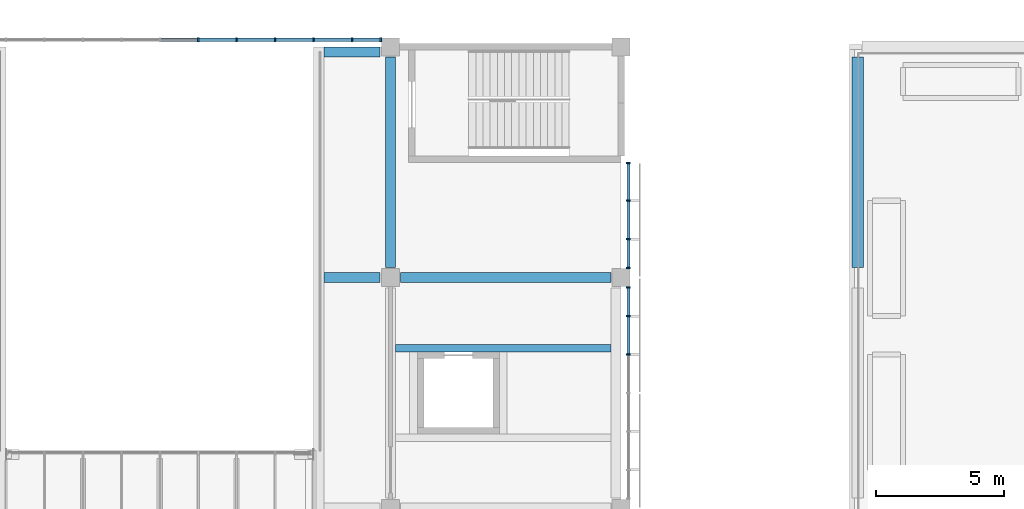
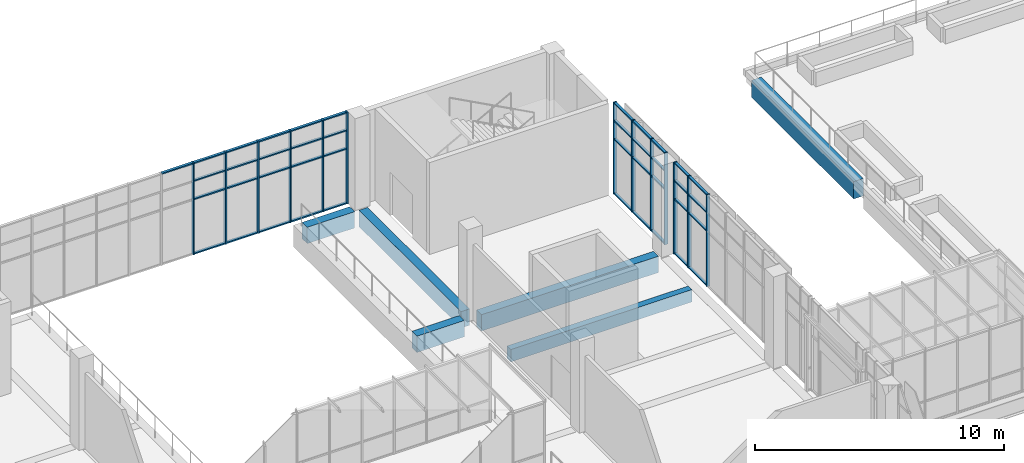
# One storey, part 29 of 106: 54 members, 6 beams, 3 elements without a shape of their own.
"""IFC4 building model written with IfcOpenShell, lengths in metres."""

import ifcopenshell
import ifcopenshell.guid

model = None  # the IFC model being written
_history = None  # IfcOwnerHistory: only IFC2X3 demands one
_inside = {}  # id of a spatial element -> (the spatial element, [elements in it])
_under = {}  # id of a project, library or spatial element -> (it, [spatial elements below it])
_declared = {}  # id of a project -> (the project, [libraries it declares])
_typed = {}  # id of a type object -> (the type object, [elements of that type])
_made_of = {}  # id of a material, layer set ... -> (it, [elements and type objects made of it])


def new_model(schema):
    """Start an empty IFC model of exactly this schema.

    Asked for "IFC4X3", IfcOpenShell would pick the latest addendum, in which some entities
    have other attributes; the version numbers below select the first issue.
    IFC2X3 requires an IfcOwnerHistory on every rooted entity: one is made here for all.
    """
    global model, _history
    if schema == "IFC4X3":
        model = ifcopenshell.file(schema_version=(4, 3, 0, 0))
    else:
        model = ifcopenshell.file(schema=schema)
    _inside.clear()
    _under.clear()
    _declared.clear()
    _typed.clear()
    _made_of.clear()
    _history = None
    if model.schema == "IFC2X3":
        org = make("IfcOrganization", Name="unknown")
        user = make(
            "IfcPersonAndOrganization",
            ThePerson=make("IfcPerson", FamilyName="unknown"),
            TheOrganization=org,
        )
        app = make(
            "IfcApplication",
            ApplicationDeveloper=org,
            Version="unknown",
            ApplicationFullName="unknown",
            ApplicationIdentifier="unknown",
        )
        _history = make(
            "IfcOwnerHistory",
            OwningUser=user,
            OwningApplication=app,
            ChangeAction="ADDED",
            CreationDate=0,
        )
    return model


def make(cls, **values):
    """One entity of the class cls with the attributes given. An attribute that is None is left unset."""
    return model.create_entity(
        cls, **{name: value for name, value in values.items() if value is not None}
    )


def rooted(cls, **values):
    """An entity with a GlobalId (a new one), such as an element, a storey or a relation."""
    return make(cls, GlobalId=ifcopenshell.guid.new(), OwnerHistory=_history, **values)


def si_unit(unit_type, name, prefix=None):
    """IfcSIUnit, for example si_unit("LENGTHUNIT", "METRE", prefix="MILLI")."""
    return make("IfcSIUnit", UnitType=unit_type, Prefix=prefix, Name=name)


def assignment(units):
    """IfcUnitAssignment: the units of a project."""
    return None if units is None else make("IfcUnitAssignment", Units=units)


def point(xyz):
    """IfcCartesianPoint."""
    return None if xyz is None else make("IfcCartesianPoint", Coordinates=xyz)


def direction(xyz):
    """IfcDirection."""
    return None if xyz is None else make("IfcDirection", DirectionRatios=xyz)


def frame(location, z_axis=None, x_axis=None):
    """IfcAxis2Placement3D, a coordinate frame: its origin and axes. An axis left out is left unset."""
    return make(
        "IfcAxis2Placement3D",
        Location=point(location),
        Axis=direction(z_axis),
        RefDirection=direction(x_axis),
    )


def frame_2d(location, x_axis=None):
    """IfcAxis2Placement2D, a coordinate frame in the plane: its origin and x axis."""
    return make(
        "IfcAxis2Placement2D", Location=point(location), RefDirection=direction(x_axis)
    )


def origin():
    """The frame at (0, 0, 0) with its axes left unset."""
    return frame((0.0, 0.0, 0.0))


def origin_2d():
    """The frame at (0, 0) in the plane with its x axis left unset."""
    return frame_2d((0.0, 0.0))


def place(relative_to, where):
    """IfcLocalPlacement: puts the frame where relative to a parent placement (None: the world)."""
    return make(
        "IfcLocalPlacement", PlacementRelTo=relative_to, RelativePlacement=where
    )


def context(
    kind, dimensions, precision=None, world=None, true_north=None, identifier=None
):
    """IfcGeometricRepresentationContext, for example the 3D "Model" context."""
    return make(
        "IfcGeometricRepresentationContext",
        ContextIdentifier=identifier,
        ContextType=kind,
        CoordinateSpaceDimension=dimensions,
        Precision=precision,
        WorldCoordinateSystem=world,
        TrueNorth=true_north,
    )


def subcontext(parent, identifier, kind, view, scale=None):
    """IfcGeometricRepresentationSubContext, for example "Body" below "Model"."""
    return make(
        "IfcGeometricRepresentationSubContext",
        ContextIdentifier=identifier,
        ContextType=kind,
        ParentContext=parent,
        TargetScale=scale,
        TargetView=view,
    )


def project(units=None, contexts=None):
    """IfcProject with its units and contexts."""
    return rooted(
        "IfcProject",
        Name="project",
        RepresentationContexts=contexts,
        UnitsInContext=assignment(units),
    )


def spatial(cls, under=None, at=None, **own):
    """A site, building, storey or space (cls), placed at a placement, below another one or the project."""
    s = rooted(cls, ObjectPlacement=at, **own)
    if under is not None:
        _under.setdefault(under.id(), (under, []))[1].append(s)
    return s


def profile(cls, at=None, kind="AREA", **sizes):
    """A parametric profile (cls). Its sizes go by their IFC names, for example OverallWidth=200.0."""
    return make(cls, ProfileType=kind, Position=at, **sizes)


def rectangle(**sizes):
    """IfcRectangleProfileDef."""
    return profile("IfcRectangleProfileDef", **sizes)


def extrude(swept, where, along, depth):
    """IfcExtrudedAreaSolid: the profile swept, set in the frame where, extruded along a direction by depth."""
    return make(
        "IfcExtrudedAreaSolid",
        SweptArea=swept,
        Position=where,
        ExtrudedDirection=direction(along),
        Depth=depth,
    )


def shape(context_of_items, identifier, shape_type, items):
    """IfcShapeRepresentation: the items that make up one representation, for example the "Body"."""
    return make(
        "IfcShapeRepresentation",
        ContextOfItems=context_of_items,
        RepresentationIdentifier=identifier,
        RepresentationType=shape_type,
        Items=items,
    )


def material(Name=None, Category=None):
    """IfcMaterial."""
    return make("IfcMaterial", Name=Name, Category=Category)


def layer(
    of_material, thickness, ventilated=None, Name=None, Category=None, Priority=None
):
    """IfcMaterialLayer: one layer of a wall or slab, of a material (None: an air gap)."""
    return make(
        "IfcMaterialLayer",
        Material=of_material,
        LayerThickness=thickness,
        IsVentilated=ventilated,
        Name=Name,
        Category=Category,
        Priority=Priority,
    )


def layer_set(layers, Name=None):
    """IfcMaterialLayerSet."""
    return make("IfcMaterialLayerSet", MaterialLayers=layers, LayerSetName=Name)


def material_profile(
    of_material, cross_section, Name=None, Category=None, Priority=None
):
    """IfcMaterialProfile: a cross section and its material."""
    return make(
        "IfcMaterialProfile",
        Name=Name,
        Material=of_material,
        Profile=cross_section,
        Priority=Priority,
        Category=Category,
    )


def profile_set(profiles, Name=None, composite=None):
    """IfcMaterialProfileSet."""
    return make(
        "IfcMaterialProfileSet",
        Name=Name,
        MaterialProfiles=profiles,
        CompositeProfile=composite,
    )


def made_of(thing, what):
    """Note that an element or type object is made of a material, layer set ...; save() writes the relation."""
    if what is not None:
        _made_of.setdefault(what.id(), (what, []))[1].append(thing)
    return thing


def type_object(cls, material=None, **own):
    """A type object (cls), such as IfcWallType, which elements share."""
    return made_of(rooted(cls, **own), material)


def element(
    cls,
    number,
    at=None,
    inside=None,
    cuts=None,
    type_object=None,
    material=None,
    context=None,
    identifier="Body",
    shape_type=None,
    held_by="IfcProductDefinitionShape",
    body=None,
    shapes=None,
    **own,
):
    """One element of the class cls, such as IfcWall. Its Tag is "e" and its number.

    at: its placement. inside: the storey or other place that contains it. cuts: it is an
    opening in that element (IfcRelVoidsElement). A single representation is given by context,
    identifier, shape_type and body (its items); several are given by shapes. held_by: the class
    of the entity that holds the representations. save() writes the other relations.
    """
    e = rooted(cls, Tag="e%d" % number, ObjectPlacement=at, **own)
    if body is not None:
        shapes = [shape(context, identifier, shape_type, body)]
    if shapes is not None:
        e.Representation = make(held_by, Representations=shapes)
    if inside is not None:
        _inside.setdefault(inside.id(), (inside, []))[1].append(e)
    if cuts is not None:
        rooted(
            "IfcRelVoidsElement", RelatingBuildingElement=cuts, RelatedOpeningElement=e
        )
    if type_object is not None:
        _typed.setdefault(type_object.id(), (type_object, []))[1].append(e)
    return made_of(e, material)


def aggregate(whole, parts):
    """IfcRelAggregates: a whole, such as a stair, and the parts it consists of."""
    return rooted("IfcRelAggregates", RelatingObject=whole, RelatedObjects=parts)


def save(model, path):
    """Write the relations noted so far, then the file.

    IfcRelAggregates (storeys below a building ...), IfcRelContainedInSpatialStructure (elements
    in a storey), IfcRelDefinesByType, IfcRelAssociatesMaterial and IfcRelDeclares: one each for
    every whole, place, type object, material and project.
    """
    for whole, parts in _under.values():
        aggregate(whole, parts)
    for where, things in _inside.values():
        rooted(
            "IfcRelContainedInSpatialStructure",
            RelatedElements=things,
            RelatingStructure=where,
        )
    for kind, things in _typed.values():
        rooted("IfcRelDefinesByType", RelatedObjects=things, RelatingType=kind)
    for what, things in _made_of.values():
        rooted("IfcRelAssociatesMaterial", RelatedObjects=things, RelatingMaterial=what)
    for by, libraries in _declared.values():
        rooted("IfcRelDeclares", RelatingContext=by, RelatedDefinitions=libraries)
    model.write(path)


model = new_model("IFC4")

# Units and contexts
model_context = context("Model", 3, precision=1e-05, world=origin(), true_north=direction((0.0, 1.0)))
body_context = subcontext(model_context, "Body", "Model", "MODEL_VIEW")
ifc_project = project(units=[si_unit("LENGTHUNIT", "METRE"), si_unit("AREAUNIT", "SQUARE_METRE"), si_unit("VOLUMEUNIT", "CUBIC_METRE"), si_unit("PLANEANGLEUNIT", "RADIAN"), si_unit("MASSUNIT", "GRAM", prefix="KILO")], contexts=[model_context])

# Site, building, storey
site_placement = place(None, origin())
site = spatial("IfcSite", under=ifc_project, at=site_placement, CompositionType="ELEMENT")
building_placement = place(site_placement, origin())
building = spatial("IfcBuilding", under=site, at=building_placement, Name="Guidao Yard Department Store", CompositionType="ELEMENT")
storey_placement = place(building_placement, frame((0.0, 0.0, 10.5)))
storey = spatial("IfcBuildingStorey", under=building, at=storey_placement, Name="L02", CompositionType="ELEMENT", Elevation=10.5)

# Beams
ifc_material_1 = material(Name="Concrete C40", Category="concrete")
ifc_material_profile_1 = material_profile(ifc_material_1, rectangle(XDim=0.39990234375, YDim=0.800048828125, at=origin_2d()), Name="Edge beam 400 x 800 C40")
ifc_profile_set_1 = profile_set([ifc_material_profile_1], Name="Concrete C40")
beam_type_1 = type_object("IfcBeamType", Name="Edge beam 400 x 800 C40", PredefinedType="BEAM", material=ifc_profile_set_1)
beam_1_placement = place(storey_placement, frame((99.0, 99.39990234375, -0.39990234375), z_axis=(0.0, 1.0, 0.0), x_axis=(-1.0, 0.0, 0.0)))
element("IfcBeam", 1, at=beam_1_placement, inside=storey, type_object=beam_type_1, Name="Beam EB55", PredefinedType="BEAM", context=body_context, shape_type="SweptSolid", body=[
    extrude(rectangle(XDim=0.39990234375, YDim=0.800048828125, at=origin_2d()), origin(), (0.0, 0.0, 1.0), 8.2001953125),
])
for number, where, z_axis, x_axis, name in (
    (2, (96.39990234375, 99.0, -0.39990234375), (1.0, 0.0, 0.0), (0.0, 1.0, 0.0), "Beam EB60"),
    (3, (96.39990234375, 107.800048828125, -0.39990234375), (1.0, 0.0, 0.0), (0.0, 1.0, 0.0), "Beam EB61"),
):
    element("IfcBeam", number, at=place(storey_placement, frame(where, z_axis=z_axis, x_axis=x_axis)), inside=storey, type_object=beam_type_1, Name=name, PredefinedType="BEAM", context=body_context, shape_type="SweptSolid", body=[
        extrude(rectangle(XDim=0.39990234375, YDim=0.800048828125, at=origin_2d()), origin(), (0.0, 0.0, 1.0), 2.2001953125),
    ])
beam_2_placement = place(storey_placement, frame((99.39990234375, 99.0, -0.39990234375), z_axis=(1.0, 0.0, 0.0), x_axis=(0.0, 1.0, 0.0)))
element("IfcBeam", 4, at=beam_2_placement, inside=storey, type_object=beam_type_1, Name="Beam EB84", PredefinedType="BEAM", context=body_context, shape_type="SweptSolid", body=[
    extrude(rectangle(XDim=0.39990234375, YDim=0.800048828125, at=origin_2d()), origin(), (0.0, 0.0, 1.0), 8.2001953125),
])
ifc_material_2 = material(Name="Concrete C40", Category="concrete")
ifc_material_profile_2 = material_profile(ifc_material_2, rectangle(XDim=0.449951171875, YDim=0.85009765625, at=origin_2d()), Name="Garden roof spandrel beam 450 x 850 C40")
ifc_profile_set_2 = profile_set([ifc_material_profile_2], Name="Concrete C40")
beam_type_2 = type_object("IfcBeamType", Name="Garden roof spandrel beam 450 x 850 C40", PredefinedType="SPANDREL", material=ifc_profile_set_2)
beam_3_placement = place(storey_placement, frame((117.22509765625, 99.39990234375, -0.425048828125), z_axis=(0.0, 1.0, 0.0), x_axis=(-1.0, 0.0, 0.0)))
element("IfcBeam", 5, at=beam_3_placement, inside=storey, type_object=beam_type_2, Name="Beam EB90", PredefinedType="SPANDREL", context=body_context, shape_type="SweptSolid", body=[
    extrude(rectangle(XDim=0.449951171875, YDim=0.85009765625, at=origin_2d()), origin(), (0.0, 0.0, 1.0), 8.2001953125),
])

# Curtain wall, members
ifc_material_3 = material(Name="Aluminium and glass", Category="aluminium")
ifc_layer = layer(ifc_material_3, 0.159912109375)
ifc_layer_set = layer_set([ifc_layer], Name="Shopfront curtain wall CW1 1500 module")
curtain_wall_type = type_object("IfcCurtainWallType", Name="Shopfront curtain wall CW1 1500 module", PredefinedType="NOTDEFINED", material=ifc_layer_set)
curtain_wall_1_placement = place(storey_placement, origin())
curtain_wall_1 = element("IfcCurtainWall", 6, at=curtain_wall_1_placement, inside=storey, type_object=curtain_wall_type, Name="Arcade shop front", PredefinedType="NOTDEFINED")
ifc_material_4 = material(Name="Aluminium 6063-T5", Category="aluminium")
ifc_material_profile_3 = material_profile(ifc_material_4, rectangle(XDim=0.06005859375, YDim=0.159912109375, at=origin_2d()), Name="Mullion M1 60 x 160 aluminium pressure plate")
ifc_profile_set_3 = profile_set([ifc_material_profile_3], Name="Aluminium 6063-T5")
member_type_1 = type_object("IfcMemberType", Name="Mullion M1 60 x 160 aluminium pressure plate", PredefinedType="MULLION", material=ifc_profile_set_3)
member_1_placement = place(storey_placement, frame((108.280029296875, 96.0, 0.0), z_axis=(0.0, 0.0, 1.0), x_axis=(0.0, -1.0, 0.0)))
member_1 = element("IfcMember", 7, at=member_1_placement, type_object=member_type_1, Name="CW-AS-L02-21 mullion 5", PredefinedType="MULLION", context=body_context, shape_type="SweptSolid", body=[
    extrude(rectangle(XDim=0.06005859375, YDim=0.159912109375, at=origin_2d()), origin(), (0.0, 0.0, 1.0), 4.5),
])
member_2_placement = place(storey_placement, frame((108.280029296875, 97.5, 0.0), z_axis=(0.0, 0.0, 1.0), x_axis=(0.0, -1.0, 0.0)))
member_2 = element("IfcMember", 8, at=member_2_placement, type_object=member_type_1, Name="CW-AS-L02-21 mullion 6", PredefinedType="MULLION", context=body_context, shape_type="SweptSolid", body=[
    extrude(rectangle(XDim=0.06005859375, YDim=0.159912109375, at=origin_2d()), origin(), (0.0, 0.0, 1.0), 4.5),
])
member_3_placement = place(storey_placement, frame((108.280029296875, 98.6201171875, 0.0), z_axis=(0.0, 0.0, 1.0), x_axis=(0.0, -1.0, 0.0)))
member_3 = element("IfcMember", 9, at=member_3_placement, type_object=member_type_1, Name="CW-AS-L02-21 mullion 7", PredefinedType="MULLION", context=body_context, shape_type="SweptSolid", body=[
    extrude(rectangle(XDim=0.06005859375, YDim=0.159912109375, at=origin_2d()), origin(), (0.0, 0.0, 1.0), 4.5),
])

curtain_wall_2_placement = place(storey_placement, origin())
curtain_wall_2 = element("IfcCurtainWall", 10, at=curtain_wall_2_placement, inside=storey, type_object=curtain_wall_type, Name="Arcade shop front", PredefinedType="NOTDEFINED")
member_4_placement = place(storey_placement, frame((108.280029296875, 99.3798828125, 0.0), z_axis=(0.0, 0.0, 1.0), x_axis=(0.0, -1.0, 0.0)))
member_4 = element("IfcMember", 11, at=member_4_placement, type_object=member_type_1, Name="CW-AS-L02-22 mullion 1", PredefinedType="MULLION", context=body_context, shape_type="SweptSolid", body=[
    extrude(rectangle(XDim=0.06005859375, YDim=0.159912109375, at=origin_2d()), origin(), (0.0, 0.0, 1.0), 4.5),
])
member_5_placement = place(storey_placement, frame((108.280029296875, 100.5, 0.0), z_axis=(0.0, 0.0, 1.0), x_axis=(0.0, -1.0, 0.0)))
member_5 = element("IfcMember", 12, at=member_5_placement, type_object=member_type_1, Name="CW-AS-L02-22 mullion 2", PredefinedType="MULLION", context=body_context, shape_type="SweptSolid", body=[
    extrude(rectangle(XDim=0.06005859375, YDim=0.159912109375, at=origin_2d()), origin(), (0.0, 0.0, 1.0), 4.5),
])
member_6_placement = place(storey_placement, frame((108.280029296875, 102.0, 0.0), z_axis=(0.0, 0.0, 1.0), x_axis=(0.0, -1.0, 0.0)))
member_6 = element("IfcMember", 13, at=member_6_placement, type_object=member_type_1, Name="CW-AS-L02-22 mullion 3", PredefinedType="MULLION", context=body_context, shape_type="SweptSolid", body=[
    extrude(rectangle(XDim=0.06005859375, YDim=0.159912109375, at=origin_2d()), origin(), (0.0, 0.0, 1.0), 4.5),
])
member_7_placement = place(storey_placement, frame((108.280029296875, 103.469970703125, 0.0), z_axis=(0.0, 0.0, 1.0), x_axis=(0.0, -1.0, 0.0)))
member_7 = element("IfcMember", 14, at=member_7_placement, type_object=member_type_1, Name="CW-AS-L02-22 mullion 4", PredefinedType="MULLION", context=body_context, shape_type="SweptSolid", body=[
    extrude(rectangle(XDim=0.06005859375, YDim=0.159912109375, at=origin_2d()), origin(), (0.0, 0.0, 1.0), 4.5),
])

curtain_wall_3_placement = place(storey_placement, origin())
curtain_wall_3 = element("IfcCurtainWall", 15, at=curtain_wall_3_placement, inside=storey, type_object=curtain_wall_type, Name="Arcade gable glazing", PredefinedType="NOTDEFINED")
member_8_placement = place(storey_placement, frame((91.5, 108.280029296875, 0.0), z_axis=(0.0, 0.0, 1.0), x_axis=(1.0, 0.0, 0.0)))
member_8 = element("IfcMember", 16, at=member_8_placement, type_object=member_type_1, Name="CW-AG-L02-01 mullion 8", PredefinedType="MULLION", context=body_context, shape_type="SweptSolid", body=[
    extrude(rectangle(XDim=0.06005859375, YDim=0.159912109375, at=origin_2d()), origin(), (0.0, 0.0, 1.0), 4.5),
])
member_9_placement = place(storey_placement, frame((93.0, 108.280029296875, 0.0), z_axis=(0.0, 0.0, 1.0), x_axis=(1.0, 0.0, 0.0)))
member_9 = element("IfcMember", 17, at=member_9_placement, type_object=member_type_1, Name="CW-AG-L02-01 mullion 9", PredefinedType="MULLION", context=body_context, shape_type="SweptSolid", body=[
    extrude(rectangle(XDim=0.06005859375, YDim=0.159912109375, at=origin_2d()), origin(), (0.0, 0.0, 1.0), 4.5),
])
member_10_placement = place(storey_placement, frame((94.5, 108.280029296875, 0.0), z_axis=(0.0, 0.0, 1.0), x_axis=(1.0, 0.0, 0.0)))
member_10 = element("IfcMember", 18, at=member_10_placement, type_object=member_type_1, Name="CW-AG-L02-01 mullion 10", PredefinedType="MULLION", context=body_context, shape_type="SweptSolid", body=[
    extrude(rectangle(XDim=0.06005859375, YDim=0.159912109375, at=origin_2d()), origin(), (0.0, 0.0, 1.0), 4.5),
])
member_11_placement = place(storey_placement, frame((96.0, 108.280029296875, 0.0), z_axis=(0.0, 0.0, 1.0), x_axis=(1.0, 0.0, 0.0)))
member_11 = element("IfcMember", 19, at=member_11_placement, type_object=member_type_1, Name="CW-AG-L02-01 mullion 11", PredefinedType="MULLION", context=body_context, shape_type="SweptSolid", body=[
    extrude(rectangle(XDim=0.06005859375, YDim=0.159912109375, at=origin_2d()), origin(), (0.0, 0.0, 1.0), 4.5),
])
member_12_placement = place(storey_placement, frame((97.5, 108.280029296875, 0.0), z_axis=(0.0, 0.0, 1.0), x_axis=(1.0, 0.0, 0.0)))
member_12 = element("IfcMember", 20, at=member_12_placement, type_object=member_type_1, Name="CW-AG-L02-01 mullion 12", PredefinedType="MULLION", context=body_context, shape_type="SweptSolid", body=[
    extrude(rectangle(XDim=0.06005859375, YDim=0.159912109375, at=origin_2d()), origin(), (0.0, 0.0, 1.0), 4.5),
])
member_13_placement = place(storey_placement, frame((98.6201171875, 108.280029296875, 0.0), z_axis=(0.0, 0.0, 1.0), x_axis=(1.0, 0.0, 0.0)))
member_13 = element("IfcMember", 21, at=member_13_placement, type_object=member_type_1, Name="CW-AG-L02-01 mullion 13", PredefinedType="MULLION", context=body_context, shape_type="SweptSolid", body=[
    extrude(rectangle(XDim=0.06005859375, YDim=0.159912109375, at=origin_2d()), origin(), (0.0, 0.0, 1.0), 4.5),
])

# Beam
ifc_material_5 = material(Name="Concrete C40", Category="concrete")
ifc_material_profile_4 = material_profile(ifc_material_5, rectangle(XDim=0.300048828125, YDim=0.60009765625, at=origin_2d()), Name="Opening beam 300 x 600 C40")
ifc_profile_set_4 = profile_set([ifc_material_profile_4], Name="Concrete C40")
beam_type_3 = type_object("IfcBeamType", Name="Opening beam 300 x 600 C40", PredefinedType="BEAM", material=ifc_profile_set_4)
beam_4_placement = place(storey_placement, frame((99.199951171875, 96.25, -0.300048828125), z_axis=(1.0, 0.0, 0.0), x_axis=(0.0, 1.0, 0.0)))
element("IfcBeam", 22, at=beam_4_placement, inside=storey, type_object=beam_type_3, Name="Beam OB34", PredefinedType="BEAM", context=body_context, shape_type="SweptSolid", body=[
    extrude(rectangle(XDim=0.300048828125, YDim=0.60009765625, at=origin_2d()), origin(), (0.0, 0.0, 1.0), 8.400146484375),
])

# Member
ifc_material_6 = material(Name="Aluminium 6063-T5", Category="aluminium")
ifc_material_profile_5 = material_profile(ifc_material_6, rectangle(XDim=0.1201171875, YDim=0.06005859375, at=origin_2d()), Name="Transom T1 60 x 120 aluminium pressure plate")
ifc_profile_set_5 = profile_set([ifc_material_profile_5], Name="Aluminium 6063-T5")
member_type_2 = type_object("IfcMemberType", Name="Transom T1 60 x 120 aluminium pressure plate", PredefinedType="USERDEFINED", material=ifc_profile_set_5)
member_14_placement = place(storey_placement, frame((108.280029296875, 97.469970703125, 0.030029296875), z_axis=(0.0, -1.0, 0.0), x_axis=(1.0, 0.0, 0.0)))
member_14 = element("IfcMember", 23, at=member_14_placement, type_object=member_type_2, Name="CW-AS-L02-21 transom 5.1", ObjectType="TRANSOM", PredefinedType="USERDEFINED", context=body_context, shape_type="SweptSolid", body=[
    extrude(rectangle(XDim=0.1201171875, YDim=0.06005859375, at=origin_2d()), origin(), (0.0, 0.0, 1.0), 1.43994140625),
])

member_15_placement = place(storey_placement, frame((108.280029296875, 97.469970703125, 2.699951171875), z_axis=(0.0, -1.0, 0.0), x_axis=(1.0, 0.0, 0.0)))
member_15 = element("IfcMember", 24, at=member_15_placement, type_object=member_type_2, Name="CW-AS-L02-21 transom 5.2", ObjectType="TRANSOM", PredefinedType="USERDEFINED", context=body_context, shape_type="SweptSolid", body=[
    extrude(rectangle(XDim=0.1201171875, YDim=0.06005859375, at=origin_2d()), origin(), (0.0, 0.0, 1.0), 1.43994140625),
])

member_16_placement = place(storey_placement, frame((108.280029296875, 97.469970703125, 3.60009765625), z_axis=(0.0, -1.0, 0.0), x_axis=(1.0, 0.0, 0.0)))
member_16 = element("IfcMember", 25, at=member_16_placement, type_object=member_type_2, Name="CW-AS-L02-21 transom 5.3", ObjectType="TRANSOM", PredefinedType="USERDEFINED", context=body_context, shape_type="SweptSolid", body=[
    extrude(rectangle(XDim=0.1201171875, YDim=0.06005859375, at=origin_2d()), origin(), (0.0, 0.0, 1.0), 1.43994140625),
])

member_17_placement = place(storey_placement, frame((108.280029296875, 97.469970703125, 4.469970703125), z_axis=(0.0, -1.0, 0.0), x_axis=(1.0, 0.0, 0.0)))
member_17 = element("IfcMember", 26, at=member_17_placement, type_object=member_type_2, Name="CW-AS-L02-21 transom 5.4", ObjectType="TRANSOM", PredefinedType="USERDEFINED", context=body_context, shape_type="SweptSolid", body=[
    extrude(rectangle(XDim=0.1201171875, YDim=0.06005859375, at=origin_2d()), origin(), (0.0, 0.0, 1.0), 1.43994140625),
])

member_18_placement = place(storey_placement, frame((108.280029296875, 98.590087890625, 0.030029296875), z_axis=(0.0, -1.0, 0.0), x_axis=(1.0, 0.0, 0.0)))
member_18 = element("IfcMember", 27, at=member_18_placement, type_object=member_type_2, Name="CW-AS-L02-21 transom 6.1", ObjectType="TRANSOM", PredefinedType="USERDEFINED", context=body_context, shape_type="SweptSolid", body=[
    extrude(rectangle(XDim=0.1201171875, YDim=0.06005859375, at=origin_2d()), origin(), (0.0, 0.0, 1.0), 1.06005859375),
])

member_19_placement = place(storey_placement, frame((108.280029296875, 98.590087890625, 2.699951171875), z_axis=(0.0, -1.0, 0.0), x_axis=(1.0, 0.0, 0.0)))
member_19 = element("IfcMember", 28, at=member_19_placement, type_object=member_type_2, Name="CW-AS-L02-21 transom 6.2", ObjectType="TRANSOM", PredefinedType="USERDEFINED", context=body_context, shape_type="SweptSolid", body=[
    extrude(rectangle(XDim=0.1201171875, YDim=0.06005859375, at=origin_2d()), origin(), (0.0, 0.0, 1.0), 1.06005859375),
])

member_20_placement = place(storey_placement, frame((108.280029296875, 98.590087890625, 3.60009765625), z_axis=(0.0, -1.0, 0.0), x_axis=(1.0, 0.0, 0.0)))
member_20 = element("IfcMember", 29, at=member_20_placement, type_object=member_type_2, Name="CW-AS-L02-21 transom 6.3", ObjectType="TRANSOM", PredefinedType="USERDEFINED", context=body_context, shape_type="SweptSolid", body=[
    extrude(rectangle(XDim=0.1201171875, YDim=0.06005859375, at=origin_2d()), origin(), (0.0, 0.0, 1.0), 1.06005859375),
])

member_21_placement = place(storey_placement, frame((108.280029296875, 98.590087890625, 4.469970703125), z_axis=(0.0, -1.0, 0.0), x_axis=(1.0, 0.0, 0.0)))
member_21 = element("IfcMember", 30, at=member_21_placement, type_object=member_type_2, Name="CW-AS-L02-21 transom 6.4", ObjectType="TRANSOM", PredefinedType="USERDEFINED", context=body_context, shape_type="SweptSolid", body=[
    extrude(rectangle(XDim=0.1201171875, YDim=0.06005859375, at=origin_2d()), origin(), (0.0, 0.0, 1.0), 1.06005859375),
])

aggregate(curtain_wall_1, [member_1, member_2, member_3, member_14, member_15, member_16, member_17, member_18, member_19, member_20, member_21])

member_22_placement = place(storey_placement, frame((108.280029296875, 100.469970703125, 0.030029296875), z_axis=(0.0, -1.0, 0.0), x_axis=(1.0, 0.0, 0.0)))
member_22 = element("IfcMember", 31, at=member_22_placement, type_object=member_type_2, Name="CW-AS-L02-22 transom 1.1", ObjectType="TRANSOM", PredefinedType="USERDEFINED", context=body_context, shape_type="SweptSolid", body=[
    extrude(rectangle(XDim=0.1201171875, YDim=0.06005859375, at=origin_2d()), origin(), (0.0, 0.0, 1.0), 1.06005859375),
])

member_23_placement = place(storey_placement, frame((108.280029296875, 100.469970703125, 2.699951171875), z_axis=(0.0, -1.0, 0.0), x_axis=(1.0, 0.0, 0.0)))
member_23 = element("IfcMember", 32, at=member_23_placement, type_object=member_type_2, Name="CW-AS-L02-22 transom 1.2", ObjectType="TRANSOM", PredefinedType="USERDEFINED", context=body_context, shape_type="SweptSolid", body=[
    extrude(rectangle(XDim=0.1201171875, YDim=0.06005859375, at=origin_2d()), origin(), (0.0, 0.0, 1.0), 1.06005859375),
])

member_24_placement = place(storey_placement, frame((108.280029296875, 100.469970703125, 3.60009765625), z_axis=(0.0, -1.0, 0.0), x_axis=(1.0, 0.0, 0.0)))
member_24 = element("IfcMember", 33, at=member_24_placement, type_object=member_type_2, Name="CW-AS-L02-22 transom 1.3", ObjectType="TRANSOM", PredefinedType="USERDEFINED", context=body_context, shape_type="SweptSolid", body=[
    extrude(rectangle(XDim=0.1201171875, YDim=0.06005859375, at=origin_2d()), origin(), (0.0, 0.0, 1.0), 1.06005859375),
])

member_25_placement = place(storey_placement, frame((108.280029296875, 100.469970703125, 4.469970703125), z_axis=(0.0, -1.0, 0.0), x_axis=(1.0, 0.0, 0.0)))
member_25 = element("IfcMember", 34, at=member_25_placement, type_object=member_type_2, Name="CW-AS-L02-22 transom 1.4", ObjectType="TRANSOM", PredefinedType="USERDEFINED", context=body_context, shape_type="SweptSolid", body=[
    extrude(rectangle(XDim=0.1201171875, YDim=0.06005859375, at=origin_2d()), origin(), (0.0, 0.0, 1.0), 1.06005859375),
])

member_26_placement = place(storey_placement, frame((108.280029296875, 101.969970703125, 0.030029296875), z_axis=(0.0, -1.0, 0.0), x_axis=(1.0, 0.0, 0.0)))
member_26 = element("IfcMember", 35, at=member_26_placement, type_object=member_type_2, Name="CW-AS-L02-22 transom 2.1", ObjectType="TRANSOM", PredefinedType="USERDEFINED", context=body_context, shape_type="SweptSolid", body=[
    extrude(rectangle(XDim=0.1201171875, YDim=0.06005859375, at=origin_2d()), origin(), (0.0, 0.0, 1.0), 1.43994140625),
])

member_27_placement = place(storey_placement, frame((108.280029296875, 101.969970703125, 2.699951171875), z_axis=(0.0, -1.0, 0.0), x_axis=(1.0, 0.0, 0.0)))
member_27 = element("IfcMember", 36, at=member_27_placement, type_object=member_type_2, Name="CW-AS-L02-22 transom 2.2", ObjectType="TRANSOM", PredefinedType="USERDEFINED", context=body_context, shape_type="SweptSolid", body=[
    extrude(rectangle(XDim=0.1201171875, YDim=0.06005859375, at=origin_2d()), origin(), (0.0, 0.0, 1.0), 1.43994140625),
])

member_28_placement = place(storey_placement, frame((108.280029296875, 101.969970703125, 3.60009765625), z_axis=(0.0, -1.0, 0.0), x_axis=(1.0, 0.0, 0.0)))
member_28 = element("IfcMember", 37, at=member_28_placement, type_object=member_type_2, Name="CW-AS-L02-22 transom 2.3", ObjectType="TRANSOM", PredefinedType="USERDEFINED", context=body_context, shape_type="SweptSolid", body=[
    extrude(rectangle(XDim=0.1201171875, YDim=0.06005859375, at=origin_2d()), origin(), (0.0, 0.0, 1.0), 1.43994140625),
])

member_29_placement = place(storey_placement, frame((108.280029296875, 101.969970703125, 4.469970703125), z_axis=(0.0, -1.0, 0.0), x_axis=(1.0, 0.0, 0.0)))
member_29 = element("IfcMember", 38, at=member_29_placement, type_object=member_type_2, Name="CW-AS-L02-22 transom 2.4", ObjectType="TRANSOM", PredefinedType="USERDEFINED", context=body_context, shape_type="SweptSolid", body=[
    extrude(rectangle(XDim=0.1201171875, YDim=0.06005859375, at=origin_2d()), origin(), (0.0, 0.0, 1.0), 1.43994140625),
])

member_30_placement = place(storey_placement, frame((108.280029296875, 103.43994140625, 0.030029296875), z_axis=(0.0, -1.0, 0.0), x_axis=(1.0, 0.0, 0.0)))
member_30 = element("IfcMember", 39, at=member_30_placement, type_object=member_type_2, Name="CW-AS-L02-22 transom 3.1", ObjectType="TRANSOM", PredefinedType="USERDEFINED", context=body_context, shape_type="SweptSolid", body=[
    extrude(rectangle(XDim=0.1201171875, YDim=0.06005859375, at=origin_2d()), origin(), (0.0, 0.0, 1.0), 1.409912109375),
])

member_31_placement = place(storey_placement, frame((108.280029296875, 103.43994140625, 2.699951171875), z_axis=(0.0, -1.0, 0.0), x_axis=(1.0, 0.0, 0.0)))
member_31 = element("IfcMember", 40, at=member_31_placement, type_object=member_type_2, Name="CW-AS-L02-22 transom 3.2", ObjectType="TRANSOM", PredefinedType="USERDEFINED", context=body_context, shape_type="SweptSolid", body=[
    extrude(rectangle(XDim=0.1201171875, YDim=0.06005859375, at=origin_2d()), origin(), (0.0, 0.0, 1.0), 1.409912109375),
])

member_32_placement = place(storey_placement, frame((108.280029296875, 103.43994140625, 3.60009765625), z_axis=(0.0, -1.0, 0.0), x_axis=(1.0, 0.0, 0.0)))
member_32 = element("IfcMember", 41, at=member_32_placement, type_object=member_type_2, Name="CW-AS-L02-22 transom 3.3", ObjectType="TRANSOM", PredefinedType="USERDEFINED", context=body_context, shape_type="SweptSolid", body=[
    extrude(rectangle(XDim=0.1201171875, YDim=0.06005859375, at=origin_2d()), origin(), (0.0, 0.0, 1.0), 1.409912109375),
])

member_33_placement = place(storey_placement, frame((108.280029296875, 103.43994140625, 4.469970703125), z_axis=(0.0, -1.0, 0.0), x_axis=(1.0, 0.0, 0.0)))
member_33 = element("IfcMember", 42, at=member_33_placement, type_object=member_type_2, Name="CW-AS-L02-22 transom 3.4", ObjectType="TRANSOM", PredefinedType="USERDEFINED", context=body_context, shape_type="SweptSolid", body=[
    extrude(rectangle(XDim=0.1201171875, YDim=0.06005859375, at=origin_2d()), origin(), (0.0, 0.0, 1.0), 1.409912109375),
])

aggregate(curtain_wall_2, [member_4, member_5, member_6, member_7, member_22, member_23, member_24, member_25, member_26, member_27, member_28, member_29, member_30, member_31, member_32, member_33])

member_34_placement = place(storey_placement, frame((90.030029296875, 108.280029296875, 4.469970703125), z_axis=(1.0, 0.0, 0.0), x_axis=(0.0, 1.0, 0.0)))
member_34 = element("IfcMember", 43, at=member_34_placement, type_object=member_type_2, Name="CW-AG-L02-01 transom 7.4", ObjectType="TRANSOM", PredefinedType="USERDEFINED", context=body_context, shape_type="SweptSolid", body=[
    extrude(rectangle(XDim=0.1201171875, YDim=0.06005859375, at=origin_2d()), origin(), (0.0, 0.0, 1.0), 1.43994140625),
])

member_35_placement = place(storey_placement, frame((91.530029296875, 108.280029296875, 0.030029296875), z_axis=(1.0, 0.0, 0.0), x_axis=(0.0, 1.0, 0.0)))
member_35 = element("IfcMember", 44, at=member_35_placement, type_object=member_type_2, Name="CW-AG-L02-01 transom 8.1", ObjectType="TRANSOM", PredefinedType="USERDEFINED", context=body_context, shape_type="SweptSolid", body=[
    extrude(rectangle(XDim=0.1201171875, YDim=0.06005859375, at=origin_2d()), origin(), (0.0, 0.0, 1.0), 1.43994140625),
])

member_36_placement = place(storey_placement, frame((91.530029296875, 108.280029296875, 2.699951171875), z_axis=(1.0, 0.0, 0.0), x_axis=(0.0, 1.0, 0.0)))
member_36 = element("IfcMember", 45, at=member_36_placement, type_object=member_type_2, Name="CW-AG-L02-01 transom 8.2", ObjectType="TRANSOM", PredefinedType="USERDEFINED", context=body_context, shape_type="SweptSolid", body=[
    extrude(rectangle(XDim=0.1201171875, YDim=0.06005859375, at=origin_2d()), origin(), (0.0, 0.0, 1.0), 1.43994140625),
])

member_37_placement = place(storey_placement, frame((91.530029296875, 108.280029296875, 3.60009765625), z_axis=(1.0, 0.0, 0.0), x_axis=(0.0, 1.0, 0.0)))
member_37 = element("IfcMember", 46, at=member_37_placement, type_object=member_type_2, Name="CW-AG-L02-01 transom 8.3", ObjectType="TRANSOM", PredefinedType="USERDEFINED", context=body_context, shape_type="SweptSolid", body=[
    extrude(rectangle(XDim=0.1201171875, YDim=0.06005859375, at=origin_2d()), origin(), (0.0, 0.0, 1.0), 1.43994140625),
])

member_38_placement = place(storey_placement, frame((91.530029296875, 108.280029296875, 4.469970703125), z_axis=(1.0, 0.0, 0.0), x_axis=(0.0, 1.0, 0.0)))
member_38 = element("IfcMember", 47, at=member_38_placement, type_object=member_type_2, Name="CW-AG-L02-01 transom 8.4", ObjectType="TRANSOM", PredefinedType="USERDEFINED", context=body_context, shape_type="SweptSolid", body=[
    extrude(rectangle(XDim=0.1201171875, YDim=0.06005859375, at=origin_2d()), origin(), (0.0, 0.0, 1.0), 1.43994140625),
])

member_39_placement = place(storey_placement, frame((93.030029296875, 108.280029296875, 0.030029296875), z_axis=(1.0, 0.0, 0.0), x_axis=(0.0, 1.0, 0.0)))
member_39 = element("IfcMember", 48, at=member_39_placement, type_object=member_type_2, Name="CW-AG-L02-01 transom 9.1", ObjectType="TRANSOM", PredefinedType="USERDEFINED", context=body_context, shape_type="SweptSolid", body=[
    extrude(rectangle(XDim=0.1201171875, YDim=0.06005859375, at=origin_2d()), origin(), (0.0, 0.0, 1.0), 1.43994140625),
])

member_40_placement = place(storey_placement, frame((93.030029296875, 108.280029296875, 2.699951171875), z_axis=(1.0, 0.0, 0.0), x_axis=(0.0, 1.0, 0.0)))
member_40 = element("IfcMember", 49, at=member_40_placement, type_object=member_type_2, Name="CW-AG-L02-01 transom 9.2", ObjectType="TRANSOM", PredefinedType="USERDEFINED", context=body_context, shape_type="SweptSolid", body=[
    extrude(rectangle(XDim=0.1201171875, YDim=0.06005859375, at=origin_2d()), origin(), (0.0, 0.0, 1.0), 1.43994140625),
])

member_41_placement = place(storey_placement, frame((93.030029296875, 108.280029296875, 3.60009765625), z_axis=(1.0, 0.0, 0.0), x_axis=(0.0, 1.0, 0.0)))
member_41 = element("IfcMember", 50, at=member_41_placement, type_object=member_type_2, Name="CW-AG-L02-01 transom 9.3", ObjectType="TRANSOM", PredefinedType="USERDEFINED", context=body_context, shape_type="SweptSolid", body=[
    extrude(rectangle(XDim=0.1201171875, YDim=0.06005859375, at=origin_2d()), origin(), (0.0, 0.0, 1.0), 1.43994140625),
])

member_42_placement = place(storey_placement, frame((93.030029296875, 108.280029296875, 4.469970703125), z_axis=(1.0, 0.0, 0.0), x_axis=(0.0, 1.0, 0.0)))
member_42 = element("IfcMember", 51, at=member_42_placement, type_object=member_type_2, Name="CW-AG-L02-01 transom 9.4", ObjectType="TRANSOM", PredefinedType="USERDEFINED", context=body_context, shape_type="SweptSolid", body=[
    extrude(rectangle(XDim=0.1201171875, YDim=0.06005859375, at=origin_2d()), origin(), (0.0, 0.0, 1.0), 1.43994140625),
])

member_43_placement = place(storey_placement, frame((94.530029296875, 108.280029296875, 0.030029296875), z_axis=(1.0, 0.0, 0.0), x_axis=(0.0, 1.0, 0.0)))
member_43 = element("IfcMember", 52, at=member_43_placement, type_object=member_type_2, Name="CW-AG-L02-01 transom 10.1", ObjectType="TRANSOM", PredefinedType="USERDEFINED", context=body_context, shape_type="SweptSolid", body=[
    extrude(rectangle(XDim=0.1201171875, YDim=0.06005859375, at=origin_2d()), origin(), (0.0, 0.0, 1.0), 1.43994140625),
])

member_44_placement = place(storey_placement, frame((94.530029296875, 108.280029296875, 2.699951171875), z_axis=(1.0, 0.0, 0.0), x_axis=(0.0, 1.0, 0.0)))
member_44 = element("IfcMember", 53, at=member_44_placement, type_object=member_type_2, Name="CW-AG-L02-01 transom 10.2", ObjectType="TRANSOM", PredefinedType="USERDEFINED", context=body_context, shape_type="SweptSolid", body=[
    extrude(rectangle(XDim=0.1201171875, YDim=0.06005859375, at=origin_2d()), origin(), (0.0, 0.0, 1.0), 1.43994140625),
])

member_45_placement = place(storey_placement, frame((94.530029296875, 108.280029296875, 3.60009765625), z_axis=(1.0, 0.0, 0.0), x_axis=(0.0, 1.0, 0.0)))
member_45 = element("IfcMember", 54, at=member_45_placement, type_object=member_type_2, Name="CW-AG-L02-01 transom 10.3", ObjectType="TRANSOM", PredefinedType="USERDEFINED", context=body_context, shape_type="SweptSolid", body=[
    extrude(rectangle(XDim=0.1201171875, YDim=0.06005859375, at=origin_2d()), origin(), (0.0, 0.0, 1.0), 1.43994140625),
])

member_46_placement = place(storey_placement, frame((94.530029296875, 108.280029296875, 4.469970703125), z_axis=(1.0, 0.0, 0.0), x_axis=(0.0, 1.0, 0.0)))
member_46 = element("IfcMember", 55, at=member_46_placement, type_object=member_type_2, Name="CW-AG-L02-01 transom 10.4", ObjectType="TRANSOM", PredefinedType="USERDEFINED", context=body_context, shape_type="SweptSolid", body=[
    extrude(rectangle(XDim=0.1201171875, YDim=0.06005859375, at=origin_2d()), origin(), (0.0, 0.0, 1.0), 1.43994140625),
])

member_47_placement = place(storey_placement, frame((96.030029296875, 108.280029296875, 0.030029296875), z_axis=(1.0, 0.0, 0.0), x_axis=(0.0, 1.0, 0.0)))
member_47 = element("IfcMember", 56, at=member_47_placement, type_object=member_type_2, Name="CW-AG-L02-01 transom 11.1", ObjectType="TRANSOM", PredefinedType="USERDEFINED", context=body_context, shape_type="SweptSolid", body=[
    extrude(rectangle(XDim=0.1201171875, YDim=0.06005859375, at=origin_2d()), origin(), (0.0, 0.0, 1.0), 1.43994140625),
])

member_48_placement = place(storey_placement, frame((96.030029296875, 108.280029296875, 2.699951171875), z_axis=(1.0, 0.0, 0.0), x_axis=(0.0, 1.0, 0.0)))
member_48 = element("IfcMember", 57, at=member_48_placement, type_object=member_type_2, Name="CW-AG-L02-01 transom 11.2", ObjectType="TRANSOM", PredefinedType="USERDEFINED", context=body_context, shape_type="SweptSolid", body=[
    extrude(rectangle(XDim=0.1201171875, YDim=0.06005859375, at=origin_2d()), origin(), (0.0, 0.0, 1.0), 1.43994140625),
])

member_49_placement = place(storey_placement, frame((96.030029296875, 108.280029296875, 3.60009765625), z_axis=(1.0, 0.0, 0.0), x_axis=(0.0, 1.0, 0.0)))
member_49 = element("IfcMember", 58, at=member_49_placement, type_object=member_type_2, Name="CW-AG-L02-01 transom 11.3", ObjectType="TRANSOM", PredefinedType="USERDEFINED", context=body_context, shape_type="SweptSolid", body=[
    extrude(rectangle(XDim=0.1201171875, YDim=0.06005859375, at=origin_2d()), origin(), (0.0, 0.0, 1.0), 1.43994140625),
])

member_50_placement = place(storey_placement, frame((96.030029296875, 108.280029296875, 4.469970703125), z_axis=(1.0, 0.0, 0.0), x_axis=(0.0, 1.0, 0.0)))
member_50 = element("IfcMember", 59, at=member_50_placement, type_object=member_type_2, Name="CW-AG-L02-01 transom 11.4", ObjectType="TRANSOM", PredefinedType="USERDEFINED", context=body_context, shape_type="SweptSolid", body=[
    extrude(rectangle(XDim=0.1201171875, YDim=0.06005859375, at=origin_2d()), origin(), (0.0, 0.0, 1.0), 1.43994140625),
])

member_51_placement = place(storey_placement, frame((97.530029296875, 108.280029296875, 0.030029296875), z_axis=(1.0, 0.0, 0.0), x_axis=(0.0, 1.0, 0.0)))
member_51 = element("IfcMember", 60, at=member_51_placement, type_object=member_type_2, Name="CW-AG-L02-01 transom 12.1", ObjectType="TRANSOM", PredefinedType="USERDEFINED", context=body_context, shape_type="SweptSolid", body=[
    extrude(rectangle(XDim=0.1201171875, YDim=0.06005859375, at=origin_2d()), origin(), (0.0, 0.0, 1.0), 1.06005859375),
])

member_52_placement = place(storey_placement, frame((97.530029296875, 108.280029296875, 2.699951171875), z_axis=(1.0, 0.0, 0.0), x_axis=(0.0, 1.0, 0.0)))
member_52 = element("IfcMember", 61, at=member_52_placement, type_object=member_type_2, Name="CW-AG-L02-01 transom 12.2", ObjectType="TRANSOM", PredefinedType="USERDEFINED", context=body_context, shape_type="SweptSolid", body=[
    extrude(rectangle(XDim=0.1201171875, YDim=0.06005859375, at=origin_2d()), origin(), (0.0, 0.0, 1.0), 1.06005859375),
])

member_53_placement = place(storey_placement, frame((97.530029296875, 108.280029296875, 3.60009765625), z_axis=(1.0, 0.0, 0.0), x_axis=(0.0, 1.0, 0.0)))
member_53 = element("IfcMember", 62, at=member_53_placement, type_object=member_type_2, Name="CW-AG-L02-01 transom 12.3", ObjectType="TRANSOM", PredefinedType="USERDEFINED", context=body_context, shape_type="SweptSolid", body=[
    extrude(rectangle(XDim=0.1201171875, YDim=0.06005859375, at=origin_2d()), origin(), (0.0, 0.0, 1.0), 1.06005859375),
])

member_54_placement = place(storey_placement, frame((97.530029296875, 108.280029296875, 4.469970703125), z_axis=(1.0, 0.0, 0.0), x_axis=(0.0, 1.0, 0.0)))
member_54 = element("IfcMember", 63, at=member_54_placement, type_object=member_type_2, Name="CW-AG-L02-01 transom 12.4", ObjectType="TRANSOM", PredefinedType="USERDEFINED", context=body_context, shape_type="SweptSolid", body=[
    extrude(rectangle(XDim=0.1201171875, YDim=0.06005859375, at=origin_2d()), origin(), (0.0, 0.0, 1.0), 1.06005859375),
])

aggregate(curtain_wall_3, [member_8, member_9, member_10, member_11, member_12, member_13, member_34, member_35, member_36, member_37, member_38, member_39, member_40, member_41, member_42, member_43, member_44, member_45, member_46, member_47, member_48, member_49, member_50, member_51, member_52, member_53, member_54])

save(model, "model.ifc")
